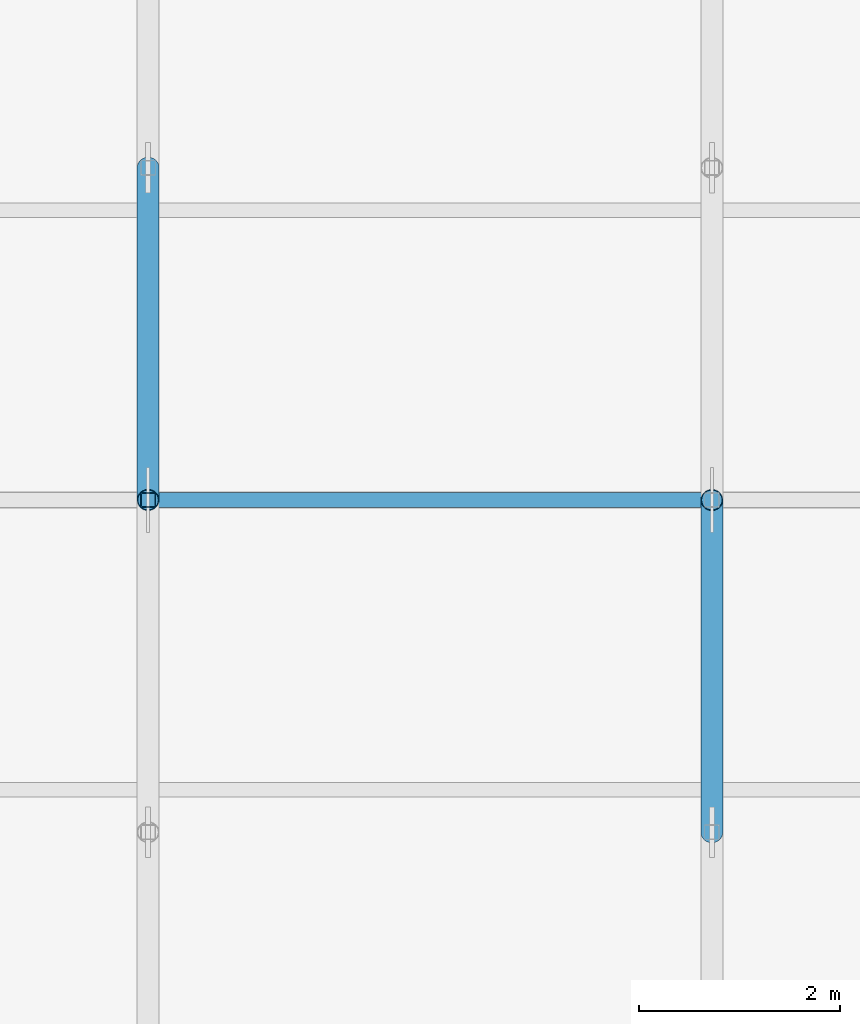
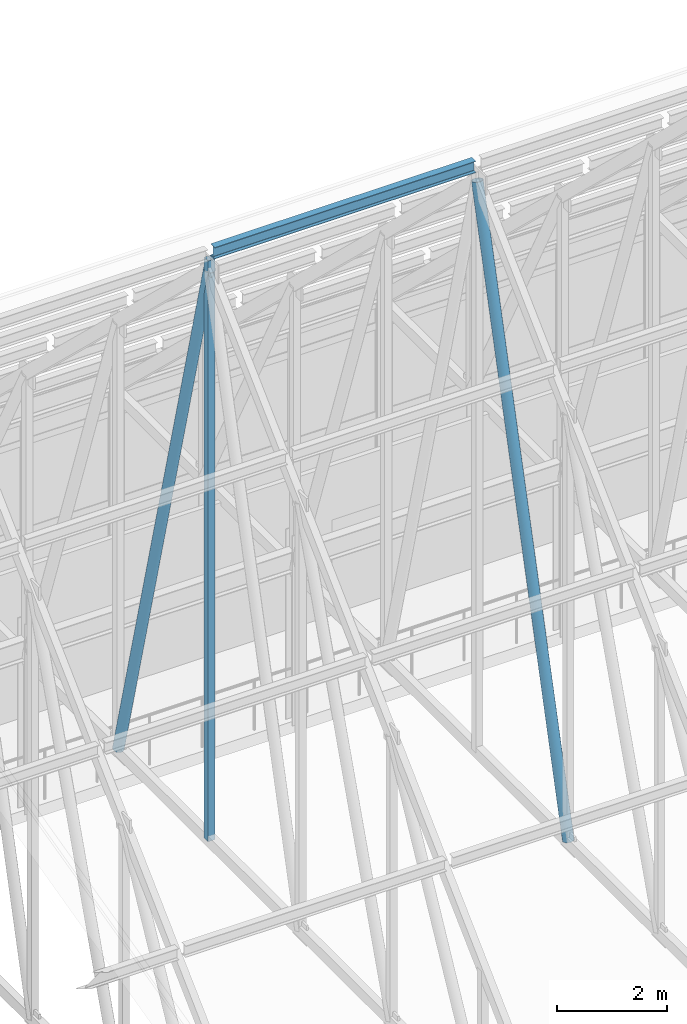
# One storey, part 46 of 144: 4 members.
"""IFC4 building model written with IfcOpenShell, lengths in metres."""

import ifcopenshell
import ifcopenshell.guid

model = None  # the IFC model being written
_history = None  # IfcOwnerHistory: only IFC2X3 demands one
_inside = {}  # id of a spatial element -> (the spatial element, [elements in it])
_under = {}  # id of a project, library or spatial element -> (it, [spatial elements below it])
_declared = {}  # id of a project -> (the project, [libraries it declares])
_typed = {}  # id of a type object -> (the type object, [elements of that type])
_made_of = {}  # id of a material, layer set ... -> (it, [elements and type objects made of it])


def new_model(schema):
    """Start an empty IFC model of exactly this schema.

    Asked for "IFC4X3", IfcOpenShell would pick the latest addendum, in which some entities
    have other attributes; the version numbers below select the first issue.
    IFC2X3 requires an IfcOwnerHistory on every rooted entity: one is made here for all.
    """
    global model, _history
    if schema == "IFC4X3":
        model = ifcopenshell.file(schema_version=(4, 3, 0, 0))
    else:
        model = ifcopenshell.file(schema=schema)
    _inside.clear()
    _under.clear()
    _declared.clear()
    _typed.clear()
    _made_of.clear()
    _history = None
    if model.schema == "IFC2X3":
        org = make("IfcOrganization", Name="unknown")
        user = make(
            "IfcPersonAndOrganization",
            ThePerson=make("IfcPerson", FamilyName="unknown"),
            TheOrganization=org,
        )
        app = make(
            "IfcApplication",
            ApplicationDeveloper=org,
            Version="unknown",
            ApplicationFullName="unknown",
            ApplicationIdentifier="unknown",
        )
        _history = make(
            "IfcOwnerHistory",
            OwningUser=user,
            OwningApplication=app,
            ChangeAction="ADDED",
            CreationDate=0,
        )
    return model


def make(cls, **values):
    """One entity of the class cls with the attributes given. An attribute that is None is left unset."""
    return model.create_entity(
        cls, **{name: value for name, value in values.items() if value is not None}
    )


def rooted(cls, **values):
    """An entity with a GlobalId (a new one), such as an element, a storey or a relation."""
    return make(cls, GlobalId=ifcopenshell.guid.new(), OwnerHistory=_history, **values)


def si_unit(unit_type, name, prefix=None):
    """IfcSIUnit, for example si_unit("LENGTHUNIT", "METRE", prefix="MILLI")."""
    return make("IfcSIUnit", UnitType=unit_type, Prefix=prefix, Name=name)


def assignment(units):
    """IfcUnitAssignment: the units of a project."""
    return None if units is None else make("IfcUnitAssignment", Units=units)


def point(xyz):
    """IfcCartesianPoint."""
    return None if xyz is None else make("IfcCartesianPoint", Coordinates=xyz)


def direction(xyz):
    """IfcDirection."""
    return None if xyz is None else make("IfcDirection", DirectionRatios=xyz)


def frame(location, z_axis=None, x_axis=None):
    """IfcAxis2Placement3D, a coordinate frame: its origin and axes. An axis left out is left unset."""
    return make(
        "IfcAxis2Placement3D",
        Location=point(location),
        Axis=direction(z_axis),
        RefDirection=direction(x_axis),
    )


def frame_2d(location, x_axis=None):
    """IfcAxis2Placement2D, a coordinate frame in the plane: its origin and x axis."""
    return make(
        "IfcAxis2Placement2D", Location=point(location), RefDirection=direction(x_axis)
    )


def origin():
    """The frame at (0, 0, 0) with its axes left unset."""
    return frame((0.0, 0.0, 0.0))


def origin_2d():
    """The frame at (0, 0) in the plane with its x axis left unset."""
    return frame_2d((0.0, 0.0))


def place(relative_to, where):
    """IfcLocalPlacement: puts the frame where relative to a parent placement (None: the world)."""
    return make(
        "IfcLocalPlacement", PlacementRelTo=relative_to, RelativePlacement=where
    )


def context(
    kind, dimensions, precision=None, world=None, true_north=None, identifier=None
):
    """IfcGeometricRepresentationContext, for example the 3D "Model" context."""
    return make(
        "IfcGeometricRepresentationContext",
        ContextIdentifier=identifier,
        ContextType=kind,
        CoordinateSpaceDimension=dimensions,
        Precision=precision,
        WorldCoordinateSystem=world,
        TrueNorth=true_north,
    )


def subcontext(parent, identifier, kind, view, scale=None):
    """IfcGeometricRepresentationSubContext, for example "Body" below "Model"."""
    return make(
        "IfcGeometricRepresentationSubContext",
        ContextIdentifier=identifier,
        ContextType=kind,
        ParentContext=parent,
        TargetScale=scale,
        TargetView=view,
    )


def project(units=None, contexts=None):
    """IfcProject with its units and contexts."""
    return rooted(
        "IfcProject",
        Name="project",
        RepresentationContexts=contexts,
        UnitsInContext=assignment(units),
    )


def spatial(cls, under=None, at=None, **own):
    """A site, building, storey or space (cls), placed at a placement, below another one or the project."""
    s = rooted(cls, ObjectPlacement=at, **own)
    if under is not None:
        _under.setdefault(under.id(), (under, []))[1].append(s)
    return s


def profile(cls, at=None, kind="AREA", **sizes):
    """A parametric profile (cls). Its sizes go by their IFC names, for example OverallWidth=200.0."""
    return make(cls, ProfileType=kind, Position=at, **sizes)


def hollow_rectangle(**sizes):
    """IfcRectangleHollowProfileDef."""
    return profile("IfcRectangleHollowProfileDef", **sizes)


def hollow_circle(**sizes):
    """IfcCircleHollowProfileDef."""
    return profile("IfcCircleHollowProfileDef", **sizes)


def i_section(**sizes):
    """IfcIShapeProfileDef."""
    return profile("IfcIShapeProfileDef", **sizes)


def extrude(swept, where, along, depth):
    """IfcExtrudedAreaSolid: the profile swept, set in the frame where, extruded along a direction by depth."""
    return make(
        "IfcExtrudedAreaSolid",
        SweptArea=swept,
        Position=where,
        ExtrudedDirection=direction(along),
        Depth=depth,
    )


def shape(context_of_items, identifier, shape_type, items):
    """IfcShapeRepresentation: the items that make up one representation, for example the "Body"."""
    return make(
        "IfcShapeRepresentation",
        ContextOfItems=context_of_items,
        RepresentationIdentifier=identifier,
        RepresentationType=shape_type,
        Items=items,
    )


def material(Name=None, Category=None):
    """IfcMaterial."""
    return make("IfcMaterial", Name=Name, Category=Category)


def material_profile(
    of_material, cross_section, Name=None, Category=None, Priority=None
):
    """IfcMaterialProfile: a cross section and its material."""
    return make(
        "IfcMaterialProfile",
        Name=Name,
        Material=of_material,
        Profile=cross_section,
        Priority=Priority,
        Category=Category,
    )


def profile_set(profiles, Name=None, composite=None):
    """IfcMaterialProfileSet."""
    return make(
        "IfcMaterialProfileSet",
        Name=Name,
        MaterialProfiles=profiles,
        CompositeProfile=composite,
    )


def made_of(thing, what):
    """Note that an element or type object is made of a material, layer set ...; save() writes the relation."""
    if what is not None:
        _made_of.setdefault(what.id(), (what, []))[1].append(thing)
    return thing


def type_object(cls, material=None, **own):
    """A type object (cls), such as IfcWallType, which elements share."""
    return made_of(rooted(cls, **own), material)


def element(
    cls,
    number,
    at=None,
    inside=None,
    cuts=None,
    type_object=None,
    material=None,
    context=None,
    identifier="Body",
    shape_type=None,
    held_by="IfcProductDefinitionShape",
    body=None,
    shapes=None,
    **own,
):
    """One element of the class cls, such as IfcWall. Its Tag is "e" and its number.

    at: its placement. inside: the storey or other place that contains it. cuts: it is an
    opening in that element (IfcRelVoidsElement). A single representation is given by context,
    identifier, shape_type and body (its items); several are given by shapes. held_by: the class
    of the entity that holds the representations. save() writes the other relations.
    """
    e = rooted(cls, Tag="e%d" % number, ObjectPlacement=at, **own)
    if body is not None:
        shapes = [shape(context, identifier, shape_type, body)]
    if shapes is not None:
        e.Representation = make(held_by, Representations=shapes)
    if inside is not None:
        _inside.setdefault(inside.id(), (inside, []))[1].append(e)
    if cuts is not None:
        rooted(
            "IfcRelVoidsElement", RelatingBuildingElement=cuts, RelatedOpeningElement=e
        )
    if type_object is not None:
        _typed.setdefault(type_object.id(), (type_object, []))[1].append(e)
    return made_of(e, material)


def aggregate(whole, parts):
    """IfcRelAggregates: a whole, such as a stair, and the parts it consists of."""
    return rooted("IfcRelAggregates", RelatingObject=whole, RelatedObjects=parts)


def save(model, path):
    """Write the relations noted so far, then the file.

    IfcRelAggregates (storeys below a building ...), IfcRelContainedInSpatialStructure (elements
    in a storey), IfcRelDefinesByType, IfcRelAssociatesMaterial and IfcRelDeclares: one each for
    every whole, place, type object, material and project.
    """
    for whole, parts in _under.values():
        aggregate(whole, parts)
    for where, things in _inside.values():
        rooted(
            "IfcRelContainedInSpatialStructure",
            RelatedElements=things,
            RelatingStructure=where,
        )
    for kind, things in _typed.values():
        rooted("IfcRelDefinesByType", RelatedObjects=things, RelatingType=kind)
    for what, things in _made_of.values():
        rooted("IfcRelAssociatesMaterial", RelatedObjects=things, RelatingMaterial=what)
    for by, libraries in _declared.values():
        rooted("IfcRelDeclares", RelatingContext=by, RelatedDefinitions=libraries)
    model.write(path)


model = new_model("IFC4")

# Units and contexts
model_context = context("Model", 3, precision=1e-05, world=origin(), true_north=direction((0.0, 1.0)))
body_context = subcontext(model_context, "Body", "Model", "MODEL_VIEW")
ifc_project = project(units=[si_unit("LENGTHUNIT", "METRE"), si_unit("AREAUNIT", "SQUARE_METRE"), si_unit("VOLUMEUNIT", "CUBIC_METRE"), si_unit("PLANEANGLEUNIT", "RADIAN"), si_unit("MASSUNIT", "GRAM", prefix="KILO")], contexts=[model_context])

# Site, building, storey
site_placement = place(None, origin())
site = spatial("IfcSite", under=ifc_project, at=site_placement, CompositionType="ELEMENT")
building_placement = place(site_placement, origin())
building = spatial("IfcBuilding", under=site, at=building_placement, Name="Trelmorton Wharf Fire Station", CompositionType="ELEMENT")
storey_placement = place(building_placement, frame((0.0, 0.0, 5.39990234375)))
storey = spatial("IfcBuildingStorey", under=building, at=storey_placement, Name="L01", CompositionType="ELEMENT", Elevation=5.39990234375)

# Members
ifc_material_1 = material(Name="Steel Grade 300 (300 MPa)", Category="steel")
ifc_material_profile_1 = material_profile(ifc_material_1, i_section(OverallWidth=0.14599609375, OverallDepth=0.256103515625, WebThickness=0.00634765625, FlangeThickness=0.010986328125, FilletRadius=0.0087890625, at=origin_2d()), Name="250UB37.3")
ifc_profile_set_1 = profile_set([ifc_material_profile_1], Name="Steel Grade 300 (300 MPa)")
member_type_1 = type_object("IfcMemberType", Name="PR_250UB37", PredefinedType="PURLIN", material=ifc_profile_set_1)
member_1_placement = place(storey_placement, frame((34.471923828125, 21.0, 16.311767578125), z_axis=(1.0, 0.0, 0.0), x_axis=(0.0, 1.0, 0.0)))
element("IfcMember", 1, at=member_1_placement, inside=storey, type_object=member_type_1, Name="V1-PR-B07-S5", PredefinedType="PURLIN", context=body_context, shape_type="SweptSolid", body=[
    extrude(i_section(OverallWidth=0.14599609375, OverallDepth=0.256103515625, WebThickness=0.00634765625, FlangeThickness=0.010986328125, FilletRadius=0.0087890625, at=origin_2d()), origin(), (0.0, 0.0, 1.0), 5.4560546875),
])
ifc_material_2 = material(Name="Steel C350L0 (350 MPa)", Category="steel")
ifc_material_profile_2 = material_profile(ifc_material_2, hollow_circle(Radius=0.109619140625, WallThickness=0.00830078125, at=origin_2d()), Name="219.1x8.2CHS")
ifc_profile_set_2 = profile_set([ifc_material_profile_2], Name="Steel C350L0 (350 MPa)")
member_type_2 = type_object("IfcMemberType", Name="TR_DIAG_219CHS", PredefinedType="STRUT", material=ifc_profile_set_2)
for number, where, z_axis, x_axis, name in (
    (2, (34.39990234375, 24.300048828125, 3.351806640625), (0.0, -0.25336106238, 0.967371785856), (1.0, 0.0, 0.0), "V1-TR07-DG-N3"),
    (3, (40.0, 17.699951171875, 3.351806640625), (0.0, 0.25336106238, 0.967371785856), (-1.0, 0.0, 0.0), "V1-TR08-DG-S3"),
):
    element("IfcMember", number, at=place(storey_placement, frame(where, z_axis=z_axis, x_axis=x_axis)), inside=storey, type_object=member_type_2, Name=name, PredefinedType="STRUT", context=body_context, shape_type="SweptSolid", body=[
        extrude(hollow_circle(Radius=0.109619140625, WallThickness=0.00830078125, at=origin_2d()), origin(), (0.0, 0.0, 1.0), 13.025146484375),
    ])
ifc_material_profile_3 = material_profile(ifc_material_2, hollow_rectangle(XDim=0.14990234375, YDim=0.14990234375, WallThickness=0.009033203125, at=origin_2d()), Name="150x150x9.0SHS")
ifc_profile_set_3 = profile_set([ifc_material_profile_3], Name="Steel C350L0 (350 MPa)")
member_type_3 = type_object("IfcMemberType", Name="TR_POST_150SHS", PredefinedType="POST", material=ifc_profile_set_3)
member_2_placement = place(storey_placement, frame((34.39990234375, 21.0, 3.351806640625), z_axis=(0.0, 0.0, 1.0), x_axis=(1.0, 0.0, 0.0)))
element("IfcMember", 4, at=member_2_placement, inside=storey, type_object=member_type_3, Name="V1-TR07-KP", PredefinedType="POST", context=body_context, shape_type="SweptSolid", body=[
    extrude(hollow_rectangle(XDim=0.14990234375, YDim=0.14990234375, WallThickness=0.009033203125, at=origin_2d()), origin(), (0.0, 0.0, 1.0), 12.8359375),
])

save(model, "model.ifc")
